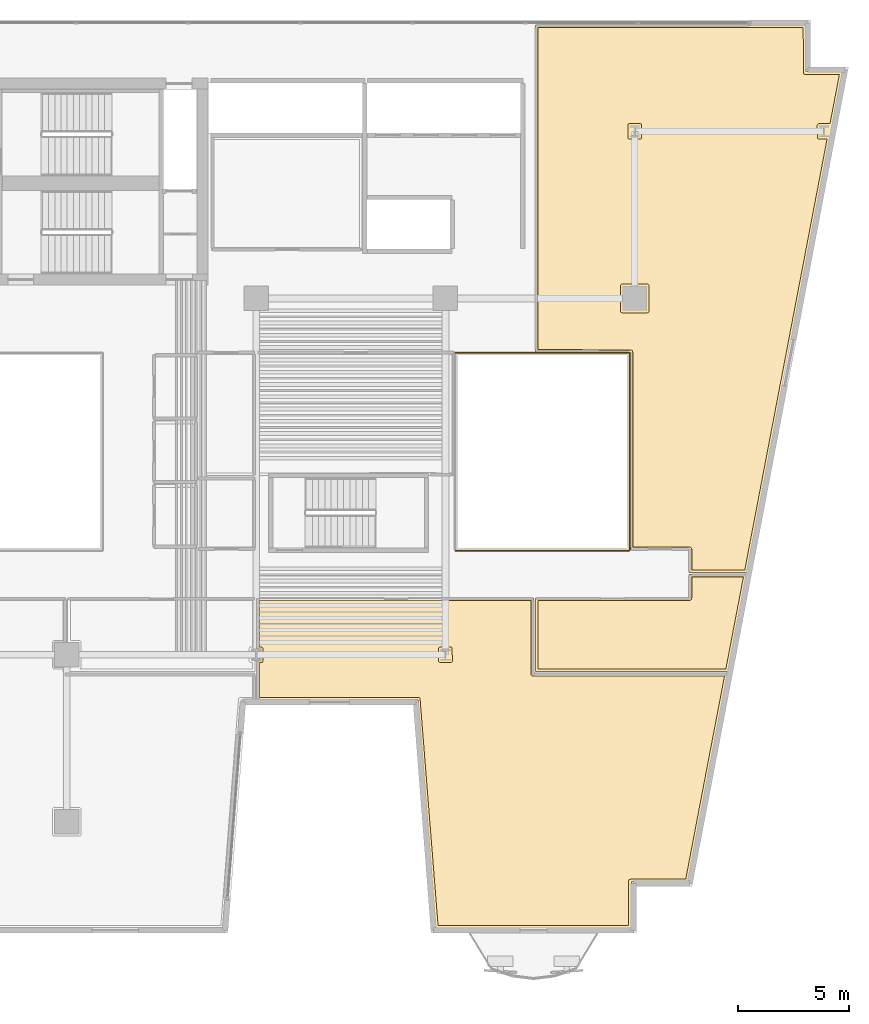
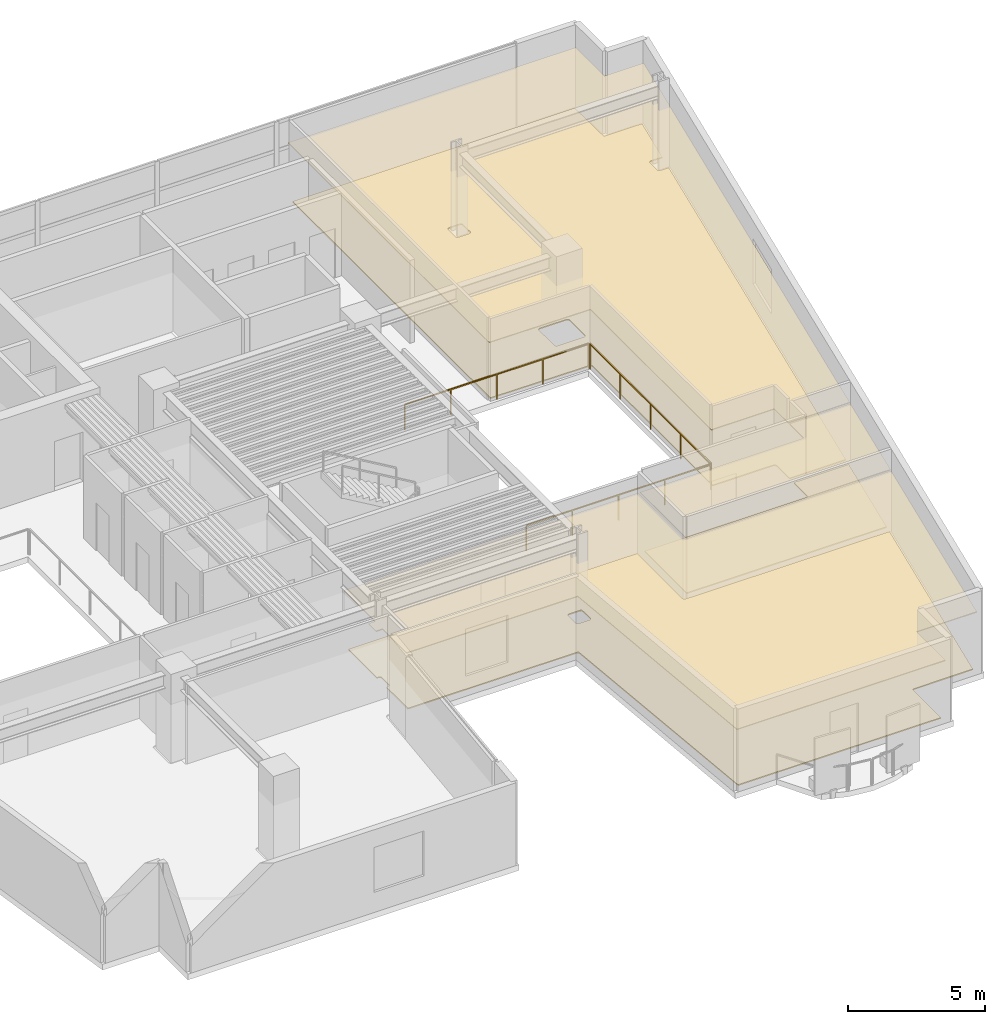
# One storey, part 11 of 12: 6 coverings, 3 railings.
"""IFC4 building model written with IfcOpenShell, lengths in metres."""

from ifc_helpers import new_model, si_unit, direction, frame, origin, origin_2d, place, context, subcontext, project, spatial, polyline, rectangle, outline, extrude, material, layer, layer_set, type_object, element, save


model = new_model("IFC4")

# Units and contexts
model_context = context("Model", 3, precision=1e-05, world=origin(), true_north=direction((0.0, 1.0)))
body_context = subcontext(model_context, "Body", "Model", "MODEL_VIEW")
ifc_project = project(units=[si_unit("LENGTHUNIT", "METRE"), si_unit("AREAUNIT", "SQUARE_METRE"), si_unit("VOLUMEUNIT", "CUBIC_METRE"), si_unit("PLANEANGLEUNIT", "RADIAN"), si_unit("MASSUNIT", "GRAM", prefix="KILO")], contexts=[model_context])

# Site, building, storey
site_placement = place(None, origin())
site = spatial("IfcSite", under=ifc_project, at=site_placement, CompositionType="ELEMENT")
building_placement = place(site_placement, origin())
building = spatial("IfcBuilding", under=site, at=building_placement, Name="Caeloran Harvest Quay", CompositionType="ELEMENT")
storey_placement = place(building_placement, frame((0.0, 0.0, 111.39990234375)))
storey = spatial("IfcBuildingStorey", under=building, at=storey_placement, Name="L25", CompositionType="ELEMENT", Elevation=111.39990234375)

# Coverings
ifc_material_1 = material(Name="Perforated Mineral-Fibre Acoustic Ceiling Tile", Category="ceiling")
ifc_layer_1 = layer(ifc_material_1, 0.0400390625, Name="Perforated Mineral-Fibre Acoustic Ceiling Tile")
ifc_layer_set_1 = layer_set([ifc_layer_1], Name="Perforated Mineral-Fibre Acoustic Ceiling Tile")
covering_type_1 = type_object("IfcCoveringType", Name="COV-CEILING-ACOUSTIC", PredefinedType="CEILING", material=ifc_layer_set_1)
covering_1_placement = place(storey_placement, frame((0.0, 0.0, 2.60009765625)))
element("IfcCovering", 1, at=covering_1_placement, inside=storey, type_object=covering_type_1, Name="Crop Genomics Wet Laboratory Acoustic Ceiling", PredefinedType="CEILING", context=body_context, shape_type="SweptSolid", body=[
    extrude(outline(polyline([(25.5400390625, 14.722900390625), (25.261474609375, 14.722900390625), (25.261474609375, 15.277099609375), (25.5400390625, 15.277099609375), (25.5400390625, 17.56005859375), (37.9599609375, 17.56005859375), (37.9599609375, 14.159912109375), (46.6728515625, 14.159912109375), (44.888916015625, 4.820068359375), (42.35009765625, 4.820068359375), (42.35009765625, 2.719970703125), (33.55859375, 2.719970703125), (32.758544921875, 12.969970703125), (25.5400390625, 12.969970703125), (25.5400390625, 14.722900390625)])), origin(), (0.0, 0.0, 1.0), 0.0400390625),
])
covering_2_placement = place(storey_placement, frame((0.0, 0.0, 2.60009765625)))
element("IfcCovering", 2, at=covering_2_placement, inside=storey, type_object=covering_type_1, Name="Patent Strategy Office Acoustic Ceiling", PredefinedType="CEILING", context=body_context, shape_type="SweptSolid", body=[
    extrude(outline(polyline([(44.93994140625, 17.56005859375), (44.93994140625, 18.610107421875), (47.522705078125, 18.610107421875), (46.68798828125, 14.239990234375), (38.0400390625, 14.239990234375), (38.0400390625, 17.56005859375), (44.93994140625, 17.56005859375)])), origin(), (0.0, 0.0, 1.0), 0.0400390625),
])
covering_3_placement = place(storey_placement, frame((0.0, 0.0, 2.60009765625)))
element("IfcCovering", 3, at=covering_3_placement, inside=storey, type_object=covering_type_1, Name="Phenotyping Sensor Laboratory 10 Acoustic Ceiling", PredefinedType="CEILING", context=body_context, shape_type="SweptSolid", body=[
    extrude(outline(polyline([(50.179931640625, 41.179931640625), (51.8330078125, 41.179931640625), (47.537841796875, 18.68994140625), (44.93994140625, 18.68994140625), (44.93994140625, 19.7099609375), (42.2900390625, 19.7099609375), (42.2900390625, 28.560302734375), (38.0400390625, 28.59033203125), (38.0400390625, 43.280029296875), (50.179931640625, 43.280029296875), (50.179931640625, 41.179931640625)])), origin(), (0.0, 0.0, 1.0), 0.0400390625),
])
ifc_material_2 = material(Name="Calcium-Sulphate Raised Access Floor and Terrazzo Finish", Category="flooring")
ifc_layer_2 = layer(ifc_material_2, 0.050048828125, Name="Calcium-Sulphate Raised Access Floor and Terrazzo Finish")
ifc_layer_set_2 = layer_set([ifc_layer_2], Name="Calcium-Sulphate Raised Access Floor and Terrazzo Finish")
covering_type_2 = type_object("IfcCoveringType", Name="COV-FLOOR-RAISED", PredefinedType="FLOORING", material=ifc_layer_set_2)
covering_4_placement = place(storey_placement, origin())
element("IfcCovering", 4, at=covering_4_placement, inside=storey, type_object=covering_type_2, Name="Crop Genomics Wet Laboratory Raised Finish Flooring", PredefinedType="FLOORING", context=body_context, shape_type="SweptSolid", body=[
    extrude(outline(polyline([(25.659912109375, 13.090087890625), (25.659912109375, 14.64794921875), (25.771240234375, 14.657470703125), (25.8134765625, 14.72802734375), (25.81201171875, 15.28759765625), (25.76416015625, 15.345947265625), (25.659912109375, 15.35205078125), (25.659912109375, 17.43994140625), (37.840087890625, 17.43994140625), (37.840087890625, 14.1201171875), (37.889404296875, 14.046142578125), (46.527587890625, 14.0400390625), (44.789794921875, 4.93994140625), (42.25927734375, 4.921875), (42.22998046875, 4.860107421875), (42.22998046875, 2.840087890625), (33.66943359375, 2.840087890625), (32.85791015625, 13.06005859375), (32.79541015625, 13.090087890625), (25.659912109375, 13.090087890625)]), holes=[polyline([(34.3134765625, 14.72802734375), (34.29541015625, 15.32275390625), (34.2412109375, 15.3515625), (33.7666015625, 15.35205078125), (33.7099609375, 15.32861328125), (33.6865234375, 15.27197265625), (33.6865234375, 14.72802734375), (33.7099609375, 14.67138671875), (33.7666015625, 14.64794921875), (34.2333984375, 14.64794921875), (34.2900390625, 14.67138671875), (34.3134765625, 14.72802734375)])]), origin(), (0.0, 0.0, 1.0), 0.050048828125),
])
covering_5_placement = place(storey_placement, origin())
element("IfcCovering", 5, at=covering_5_placement, inside=storey, type_object=covering_type_2, Name="Patent Strategy Office Raised Finish Flooring", PredefinedType="FLOORING", context=body_context, shape_type="SweptSolid", body=[
    extrude(outline(polyline([(44.97802734375, 17.443603515625), (45.037353515625, 17.4833984375), (45.059814453125, 17.543212890625), (45.06005859375, 18.489990234375), (47.37744140625, 18.489990234375), (46.5888671875, 14.360107421875), (38.159912109375, 14.360107421875), (38.159912109375, 17.43994140625), (44.97802734375, 17.443603515625)])), origin(), (0.0, 0.0, 1.0), 0.050048828125),
])
covering_6_placement = place(storey_placement, origin())
element("IfcCovering", 6, at=covering_6_placement, inside=storey, type_object=covering_type_2, Name="Phenotyping Sensor Laboratory 10 Raised Finish Flooring", PredefinedType="FLOORING", context=body_context, shape_type="SweptSolid", body=[
    extrude(outline(polyline([(38.159912109375, 43.159912109375), (50.06005859375, 43.159912109375), (50.078125, 41.089111328125), (50.139892578125, 41.06005859375), (51.68798828125, 41.06005859375), (51.264892578125, 38.845458984375), (50.7587890625, 38.8515625), (50.68798828125, 38.78759765625), (50.699951171875, 38.18359375), (50.7587890625, 38.1484375), (51.1318359375, 38.14794921875), (47.438720703125, 18.81005859375), (45.06005859375, 18.81005859375), (45.0595703125, 19.7578125), (44.99560546875, 19.82861328125), (42.409912109375, 19.830078125), (42.409912109375, 28.60009765625), (42.38671875, 28.656494140625), (42.33056640625, 28.679931640625), (38.159912109375, 28.70947265625), (38.159912109375, 43.159912109375)]), holes=[polyline([(41.93505859375, 31.64501953125), (41.87841796875, 31.62158203125), (41.85498046875, 31.56494140625), (41.85498046875, 30.43505859375), (41.87841796875, 30.37841796875), (41.93505859375, 30.35498046875), (43.06494140625, 30.35498046875), (43.12158203125, 30.37841796875), (43.14501953125, 30.43505859375), (43.14501953125, 31.56494140625), (43.12158203125, 31.62158203125), (43.06494140625, 31.64501953125), (41.93505859375, 31.64501953125)]), polyline([(42.8134765625, 38.22802734375), (42.79541015625, 38.82275390625), (42.7412109375, 38.8515625), (42.2666015625, 38.85205078125), (42.2099609375, 38.82861328125), (42.1865234375, 38.77197265625), (42.1865234375, 38.22802734375), (42.2099609375, 38.17138671875), (42.2666015625, 38.14794921875), (42.7333984375, 38.14794921875), (42.7900390625, 38.17138671875), (42.8134765625, 38.22802734375)])]), origin(), (0.0, 0.0, 1.0), 0.050048828125),
])

# Railings
ifc_material_3 = material(Name="Powder-Coated Steel Post and Laminated Glass Guardrail", Category="steel")
ifc_layer_3 = layer(ifc_material_3, 0.06005859375, Name="Powder-Coated Steel Post and Laminated Glass Guardrail")
ifc_layer_set_3 = layer_set([ifc_layer_3], Name="Powder-Coated Steel Post and Laminated Glass Guardrail")
railing_type = type_object("IfcRailingType", Name="GUARD-ATRIUM-1150", PredefinedType="GUARDRAIL", material=ifc_layer_set_3)
railing_1_placement = place(storey_placement, frame((34.4619140625, 19.679931640625, 0.0)))
element("IfcRailing", 7, at=railing_1_placement, inside=storey, type_object=railing_type, Name="L25 East Botanical Lightwell Guardrail Seg 1", PredefinedType="GUARDRAIL", context=body_context, shape_type="SweptSolid", body=[
    extrude(rectangle(XDim=0.048095703125, YDim=0.048095703125, at=origin_2d()), frame((0.0, 0.0, 1.1259765625), z_axis=(1.0, 0.0, 0.0), x_axis=(0.0, 1.0, 0.0)), (0.0, 0.0, 1.0), 7.776123046875),
    extrude(rectangle(XDim=0.0419921875, YDim=0.0419921875, at=origin_2d()), origin(), (0.0, 0.0, 1.0), 1.101806640625),
    extrude(rectangle(XDim=0.0419921875, YDim=0.0419921875, at=origin_2d()), frame((1.944091796875, 0.0, 0.0)), (0.0, 0.0, 1.0), 1.101806640625),
    extrude(rectangle(XDim=0.0419921875, YDim=0.0419921875, at=origin_2d()), frame((3.88818359375, 0.0, 0.0)), (0.0, 0.0, 1.0), 1.101806640625),
    extrude(rectangle(XDim=0.0419921875, YDim=0.0419921875, at=origin_2d()), frame((5.83203125, 0.0, 0.0)), (0.0, 0.0, 1.0), 1.101806640625),
    extrude(rectangle(XDim=0.0419921875, YDim=0.0419921875, at=origin_2d()), frame((7.776123046875, 0.0, 0.0)), (0.0, 0.0, 1.0), 1.101806640625),
])
railing_2_placement = place(storey_placement, frame((42.27001953125, 19.7119140625, 0.0)))
element("IfcRailing", 8, at=railing_2_placement, inside=storey, type_object=railing_type, Name="L25 East Botanical Lightwell Guardrail Seg 2", PredefinedType="GUARDRAIL", context=body_context, shape_type="SweptSolid", body=[
    extrude(rectangle(XDim=0.048095703125, YDim=0.048095703125, at=origin_2d()), frame((0.0, 0.0, 1.1259765625), z_axis=(0.0, 1.0, 0.0), x_axis=(-1.0, 0.0, 0.0)), (0.0, 0.0, 1.0), 8.826171875),
    extrude(rectangle(XDim=0.0419921875, YDim=0.0419921875, at=origin_2d()), origin(), (0.0, 0.0, 1.0), 1.101806640625),
    extrude(rectangle(XDim=0.0419921875, YDim=0.0419921875, at=origin_2d()), frame((0.0, 2.20654296875, 0.0)), (0.0, 0.0, 1.0), 1.101806640625),
    extrude(rectangle(XDim=0.0419921875, YDim=0.0419921875, at=origin_2d()), frame((0.0, 4.4130859375, 0.0)), (0.0, 0.0, 1.0), 1.101806640625),
    extrude(rectangle(XDim=0.0419921875, YDim=0.0419921875, at=origin_2d()), frame((0.0, 6.61962890625, 0.0)), (0.0, 0.0, 1.0), 1.101806640625),
    extrude(rectangle(XDim=0.0419921875, YDim=0.0419921875, at=origin_2d()), frame((0.0, 8.826171875, 0.0)), (0.0, 0.0, 1.0), 1.101806640625),
])
railing_3_placement = place(storey_placement, frame((42.238037109375, 28.570068359375, 0.0)))
element("IfcRailing", 9, at=railing_3_placement, inside=storey, type_object=railing_type, Name="L25 East Botanical Lightwell Guardrail Seg 3", PredefinedType="GUARDRAIL", context=body_context, shape_type="SweptSolid", body=[
    extrude(rectangle(XDim=0.048095703125, YDim=0.048095703125, at=origin_2d()), frame((0.0, 0.0, 1.1259765625), z_axis=(-1.0, 0.0, 0.0), x_axis=(0.0, -1.0, 0.0)), (0.0, 0.0, 1.0), 7.776123046875),
    extrude(rectangle(XDim=0.0419921875, YDim=0.0419921875, at=origin_2d()), origin(), (0.0, 0.0, 1.0), 1.101806640625),
    extrude(rectangle(XDim=0.0419921875, YDim=0.0419921875, at=origin_2d()), frame((-1.944091796875, 0.0, 0.0)), (0.0, 0.0, 1.0), 1.101806640625),
    extrude(rectangle(XDim=0.0419921875, YDim=0.0419921875, at=origin_2d()), frame((-3.88818359375, 0.0, 0.0)), (0.0, 0.0, 1.0), 1.101806640625),
    extrude(rectangle(XDim=0.0419921875, YDim=0.0419921875, at=origin_2d()), frame((-5.83203125, 0.0, 0.0)), (0.0, 0.0, 1.0), 1.101806640625),
    extrude(rectangle(XDim=0.0419921875, YDim=0.0419921875, at=origin_2d()), frame((-7.776123046875, 0.0, 0.0)), (0.0, 0.0, 1.0), 1.101806640625),
])

save(model, "model.ifc")
